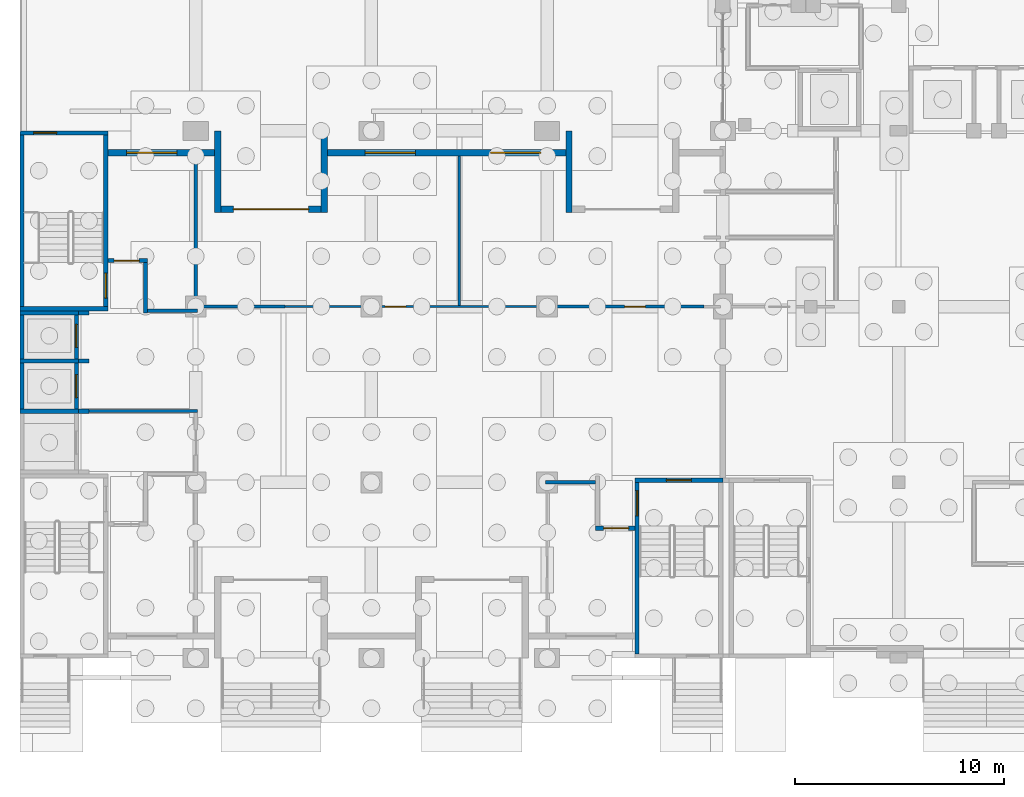
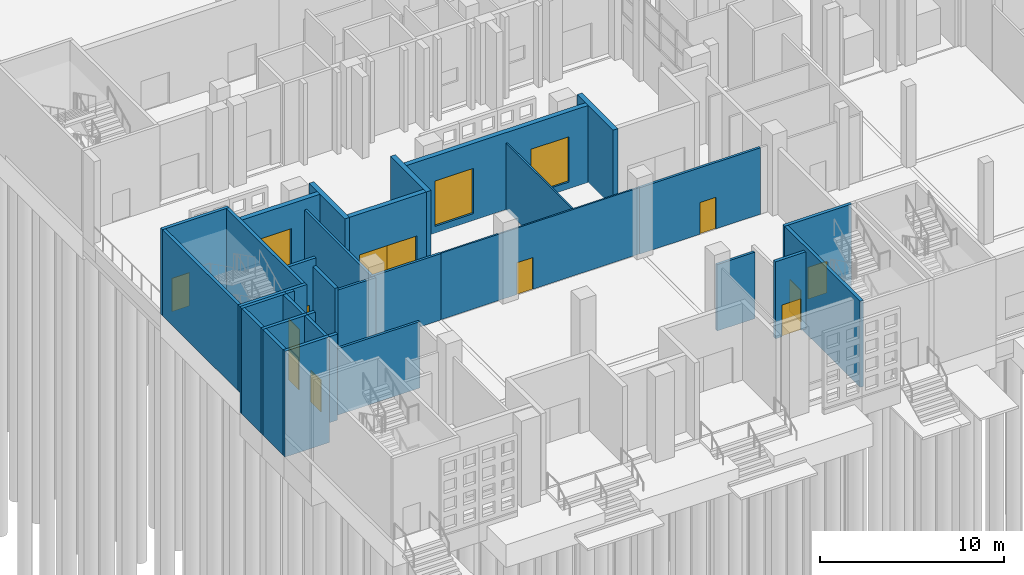
# One storey, part 43 of 129: 33 walls, 12 doors, 3 windows, 15 openings.
"""IFC4 building model written with IfcOpenShell, lengths in metres."""

from ifc_helpers import new_model, si_unit, direction, frame, frame_2d, origin, place, context, subcontext, project, spatial, rectangle, extrude, material, layer, layer_set, type_object, element, fill, save


model = new_model("IFC4")

# Units and contexts
model_context = context("Model", 3, precision=1e-05, world=origin(), true_north=direction((0.0, 1.0)))
body_context = subcontext(model_context, "Body", "Model", "MODEL_VIEW")
ifc_project = project(units=[si_unit("LENGTHUNIT", "METRE"), si_unit("AREAUNIT", "SQUARE_METRE"), si_unit("VOLUMEUNIT", "CUBIC_METRE"), si_unit("PLANEANGLEUNIT", "RADIAN"), si_unit("MASSUNIT", "GRAM", prefix="KILO")], contexts=[model_context])

# Site, building, storey
site_placement = place(None, origin())
site = spatial("IfcSite", under=ifc_project, at=site_placement, CompositionType="ELEMENT")
building_placement = place(site_placement, origin())
building = spatial("IfcBuilding", under=site, at=building_placement, Name="Kiln Court Media Centre", CompositionType="ELEMENT")
storey_placement = place(building_placement, origin())
storey = spatial("IfcBuildingStorey", under=building, at=storey_placement, Name="L00", CompositionType="ELEMENT", Elevation=0.0)

# Walls
ifc_material_1 = material(Name="Concrete block masonry M7.5", Category="masonry")
ifc_layer_1 = layer(ifc_material_1, 0.14990234375)
ifc_layer_set_1 = layer_set([ifc_layer_1], Name="Block lobby wall 150 EI 120")
wall_type_1 = type_object("IfcWallType", Name="Block lobby wall 150 EI 120", PredefinedType="SOLIDWALL", material=ifc_layer_set_1)
wall_1_placement = place(storey_placement, frame((3.300048828125, 11.800048828125, 0.0), z_axis=(0.0, 0.0, 1.0), x_axis=(1.0, 0.0, 0.0)))
element("IfcWall", 1, at=wall_1_placement, inside=storey, type_object=wall_type_1, Name="L00 block lobby wall", PredefinedType="SOLIDWALL", context=body_context, shape_type="SweptSolid", body=[
    extrude(rectangle(XDim=5.175048828125, YDim=0.14990234375, at=frame_2d((2.58740234375, 0.0))), origin(), (0.0, 0.0, 1.0), 4.39990234375),
])
ifc_material_2 = material(Name="Concrete block masonry M10", Category="masonry")
ifc_layer_2 = layer(ifc_material_2, 0.14990234375)
ifc_layer_set_2 = layer_set([ifc_layer_2], Name="Block riser wall 150 EI 120")
wall_type_2 = type_object("IfcWallType", Name="Block riser wall 150 EI 120", PredefinedType="SOLIDWALL", material=ifc_layer_set_2)
wall_2_placement = place(storey_placement, frame((6.10009765625, 16.60009765625, 0.0), z_axis=(0.0, 0.0, 1.0), x_axis=(1.0, 0.0, 0.0)))
element("IfcWall", 2, at=wall_2_placement, inside=storey, type_object=wall_type_2, Name="L00 block riser wall", PredefinedType="SOLIDWALL", context=body_context, shape_type="SweptSolid", body=[
    extrude(rectangle(XDim=2.375, YDim=0.14990234375, at=frame_2d((1.1875, 0.0))), origin(), (0.0, 0.0, 1.0), 4.39990234375),
])
wall_3_placement = place(storey_placement, frame((8.39990234375, 16.875, 0.0), z_axis=(0.0, 0.0, 1.0), x_axis=(0.0, 1.0, 0.0)))
element("IfcWall", 3, at=wall_3_placement, inside=storey, type_object=wall_type_2, Name="L00 block riser wall", PredefinedType="SOLIDWALL", context=body_context, shape_type="SweptSolid", body=[
    extrude(rectangle(XDim=7.125, YDim=0.14990234375, at=frame_2d((3.5625, 0.0))), origin(), (0.0, 0.0, 1.0), 4.39990234375),
])

# Wall, opening, door
ifc_material_3 = material(Name="Concrete block masonry M10", Category="masonry")
ifc_layer_3 = layer(ifc_material_3, 0.199951171875)
ifc_layer_set_3 = layer_set([ifc_layer_3], Name="Block vestibule wall 200 EI 240")
wall_type_3 = type_object("IfcWallType", Name="Block vestibule wall 200 EI 240", PredefinedType="SOLIDWALL", material=ifc_layer_set_3)
wall_4_placement = place(storey_placement, frame((27.5, 6.199951171875, 0.0), z_axis=(0.0, 0.0, 1.0), x_axis=(1.0, 0.0, 0.0)))
wall_4 = element("IfcWall", 4, at=wall_4_placement, inside=storey, type_object=wall_type_3, Name="L00 block vestibule wall", PredefinedType="SOLIDWALL", context=body_context, shape_type="SweptSolid", body=[
    extrude(rectangle(XDim=1.89990234375, YDim=0.199951171875, at=frame_2d((0.949951171875, 0.0))), origin(), (0.0, 0.0, 1.0), 5.10009765625),
])
opening_1_placement = place(wall_4_placement, frame((0.39990234375, 0.0, 0.0)))
opening_1 = element("IfcOpeningElement", 5, at=opening_1_placement, cuts=wall_4, Name="Opening D0045", PredefinedType="OPENING", context=body_context, shape_type="SweptSolid", body=[
    extrude(rectangle(XDim=1.199951171875, YDim=2.10009765625, at=frame_2d((0.60009765625, 1.050048828125))), frame((0.0, 0.10986328125, 0.0), z_axis=(0.0, -1.0, 0.0), x_axis=(1.0, 0.0, 0.0)), (0.0, 0.0, 1.0), 0.219970703125),
])
ifc_material_4 = material(Name="Steel S275", Category="steel")
door_type_1 = type_object("IfcDoorType", Name="Steel vestibule door 1200 x 2100 FD180", OperationType="SINGLE_SWING_LEFT", PredefinedType="DOOR", material=ifc_material_4)
door_1_placement = place(opening_1_placement, origin())
door_1 = element("IfcDoor", 6, at=door_1_placement, inside=storey, type_object=door_type_1, Name="Bookshop / Stair 3 Vestibule", OperationType="SINGLE_SWING_RIGHT", OverallHeight=2.10009765625, OverallWidth=1.199951171875, PredefinedType="DOOR", context=body_context, shape_type="SweptSolid", body=[
    extrude(rectangle(XDim=1.199951171875, YDim=2.10009765625, at=frame_2d((0.60009765625, 1.050048828125))), frame((0.0, 0.02490234375, 0.0), z_axis=(0.0, -1.0, 0.0), x_axis=(1.0, 0.0, 0.0)), (0.0, 0.0, 1.0), 0.050048828125),
])
fill(opening_1, door_1)

wall_5_placement = place(storey_placement, frame((4.2001953125, 19.0, 0.0), z_axis=(0.0, 0.0, 1.0), x_axis=(1.0, 0.0, 0.0)))
wall_5 = element("IfcWall", 7, at=wall_5_placement, inside=storey, type_object=wall_type_3, Name="L00 block vestibule wall", PredefinedType="SOLIDWALL", context=body_context, shape_type="SweptSolid", body=[
    extrude(rectangle(XDim=1.89990234375, YDim=0.199951171875, at=frame_2d((0.949951171875, 0.0))), origin(), (0.0, 0.0, 1.0), 5.10009765625),
])
opening_2_placement = place(wall_5_placement, frame((0.2998046875, 0.0, 0.0)))
opening_2 = element("IfcOpeningElement", 8, at=opening_2_placement, cuts=wall_5, Name="Opening D0048", PredefinedType="OPENING", context=body_context, shape_type="SweptSolid", body=[
    extrude(rectangle(XDim=1.199951171875, YDim=2.10009765625, at=frame_2d((0.60009765625, 1.050048828125))), frame((0.0, 0.10986328125, 0.0), z_axis=(0.0, -1.0, 0.0), x_axis=(1.0, 0.0, 0.0)), (0.0, 0.0, 1.0), 0.219970703125),
])
door_2_placement = place(opening_2_placement, origin())
door_2 = element("IfcDoor", 9, at=door_2_placement, inside=storey, type_object=door_type_1, Name="Cleaners' Store and Riser / Stair 2 Vestibule", OperationType="SINGLE_SWING_LEFT", OverallHeight=2.10009765625, OverallWidth=1.199951171875, PredefinedType="DOOR", context=body_context, shape_type="SweptSolid", body=[
    extrude(rectangle(XDim=1.199951171875, YDim=2.10009765625, at=frame_2d((0.60009765625, 1.050048828125))), frame((0.0, 0.02490234375, 0.0), z_axis=(0.0, -1.0, 0.0), x_axis=(1.0, 0.0, 0.0)), (0.0, 0.0, 1.0), 0.050048828125),
])
fill(opening_2, door_2)

# Wall
wall_6_placement = place(storey_placement, frame((6.0, 16.5, 0.0), z_axis=(0.0, 0.0, 1.0), x_axis=(0.0, 1.0, 0.0)))
element("IfcWall", 10, at=wall_6_placement, inside=storey, type_object=wall_type_3, Name="L00 block vestibule wall", PredefinedType="SOLIDWALL", context=body_context, shape_type="SweptSolid", body=[
    extrude(rectangle(XDim=2.39990234375, YDim=0.199951171875, at=frame_2d((1.199951171875, 0.0))), origin(), (0.0, 0.0, 1.0), 4.60009765625),
])

# Wall, opening, window
ifc_material_5 = material(Name="Brick masonry facing leaf with RC backing", Category="masonry")
ifc_layer_4 = layer(ifc_material_5, 0.300048828125)
ifc_layer_set_4 = layer_set([ifc_layer_4], Name="Brick masonry cavity wall 300")
wall_type_4 = type_object("IfcWallType", Name="Brick masonry cavity wall 300", PredefinedType="SOLIDWALL", material=ifc_layer_set_4)
wall_7_placement = place(storey_placement, frame((4.199951171875, 24.14990234375, 0.0), z_axis=(0.0, 0.0, 1.0), x_axis=(1.0, 0.0, 0.0)))
wall_7 = element("IfcWall", 11, at=wall_7_placement, inside=storey, type_object=wall_type_4, Name="V6A-N ground facade", PredefinedType="SOLIDWALL", context=body_context, shape_type="SweptSolid", body=[
    extrude(rectangle(XDim=5.10009765625, YDim=0.300048828125, at=frame_2d((2.550048828125, 0.0))), origin(), (0.0, 0.0, 1.0), 5.10009765625),
])
opening_3_placement = place(wall_7_placement, frame((0.89990234375, 0.0, 0.449951171875)))
opening_3 = element("IfcOpeningElement", 12, at=opening_3_placement, cuts=wall_7, Name="Opening WN0007", PredefinedType="OPENING", context=body_context, shape_type="SweptSolid", body=[
    extrude(rectangle(XDim=2.39990234375, YDim=3.0, at=frame_2d((1.199951171875, 1.5))), frame((0.0, 0.159912109375, 0.0), z_axis=(0.0, -1.0, 0.0), x_axis=(1.0, 0.0, 0.0)), (0.0, 0.0, 1.0), 0.320068359375),
])
ifc_material_6 = material(Name="Aluminium 6063-T6", Category="aluminium")
window_type = type_object("IfcWindowType", Name="Aluminium shopfront window 2400x3000", PartitioningType="TRIPLE_PANEL_VERTICAL", PredefinedType="WINDOW", material=ifc_material_6)
window_1_placement = place(opening_3_placement, origin())
window_1 = element("IfcWindow", 13, at=window_1_placement, inside=storey, type_object=window_type, Name="WF window WN0007", OverallHeight=3.0, OverallWidth=2.39990234375, PartitioningType="SINGLE_PANEL", PredefinedType="WINDOW", context=body_context, shape_type="SweptSolid", body=[
    extrude(rectangle(XDim=2.39990234375, YDim=3.0, at=frame_2d((1.199951171875, 1.5))), frame((0.0, 0.030029296875, 0.0), z_axis=(0.0, -1.0, 0.0), x_axis=(1.0, 0.0, 0.0)), (0.0, 0.0, 1.0), 0.06005859375),
])
fill(opening_3, window_1)

# Wall, openings, windows
wall_8_placement = place(storey_placement, frame((14.699951171875, 24.14990234375, 0.0), z_axis=(0.0, 0.0, 1.0), x_axis=(1.0, 0.0, 0.0)))
wall_8 = element("IfcWall", 14, at=wall_8_placement, inside=storey, type_object=wall_type_4, Name="V6A-N ground facade", PredefinedType="SOLIDWALL", context=body_context, shape_type="SweptSolid", body=[
    extrude(rectangle(XDim=11.400146484375, YDim=0.300048828125, at=frame_2d((5.7001953125, 0.0))), origin(), (0.0, 0.0, 1.0), 5.10009765625),
])
opening_4_placement = place(wall_8_placement, frame((1.800048828125, 0.0, 0.449951171875)))
opening_4 = element("IfcOpeningElement", 15, at=opening_4_placement, cuts=wall_8, Name="Opening WN0008", PredefinedType="OPENING", context=body_context, shape_type="SweptSolid", body=[
    extrude(rectangle(XDim=2.39990234375, YDim=3.0, at=frame_2d((1.199951171875, 1.5))), frame((0.0, 0.159912109375, 0.0), z_axis=(0.0, -1.0, 0.0), x_axis=(1.0, 0.0, 0.0)), (0.0, 0.0, 1.0), 0.320068359375),
])
opening_5_placement = place(wall_8_placement, frame((7.800048828125, 0.0, 0.449951171875)))
opening_5 = element("IfcOpeningElement", 16, at=opening_5_placement, cuts=wall_8, Name="Opening WN0009", PredefinedType="OPENING", context=body_context, shape_type="SweptSolid", body=[
    extrude(rectangle(XDim=2.39990234375, YDim=3.0, at=frame_2d((1.199951171875, 1.5))), frame((0.0, 0.159912109375, 0.0), z_axis=(0.0, -1.0, 0.0), x_axis=(1.0, 0.0, 0.0)), (0.0, 0.0, 1.0), 0.320068359375),
])
window_2_placement = place(opening_4_placement, origin())
window_2 = element("IfcWindow", 17, at=window_2_placement, inside=storey, type_object=window_type, Name="WF window WN0008", OverallHeight=3.0, OverallWidth=2.39990234375, PartitioningType="SINGLE_PANEL", PredefinedType="WINDOW", context=body_context, shape_type="SweptSolid", body=[
    extrude(rectangle(XDim=2.39990234375, YDim=3.0, at=frame_2d((1.199951171875, 1.5))), frame((0.0, 0.030029296875, 0.0), z_axis=(0.0, -1.0, 0.0), x_axis=(1.0, 0.0, 0.0)), (0.0, 0.0, 1.0), 0.06005859375),
])
fill(opening_4, window_2)
window_3_placement = place(opening_5_placement, origin())
window_3 = element("IfcWindow", 18, at=window_3_placement, inside=storey, type_object=window_type, Name="WF window WN0009", OverallHeight=3.0, OverallWidth=2.39990234375, PartitioningType="SINGLE_PANEL", PredefinedType="WINDOW", context=body_context, shape_type="SweptSolid", body=[
    extrude(rectangle(XDim=2.39990234375, YDim=3.0, at=frame_2d((1.199951171875, 1.5))), frame((0.0, 0.030029296875, 0.0), z_axis=(0.0, -1.0, 0.0), x_axis=(1.0, 0.0, 0.0)), (0.0, 0.0, 1.0), 0.06005859375),
])
fill(opening_5, window_3)

# Walls
ifc_material_7 = material(Name="Brick masonry facing leaf with RC backing", Category="masonry")
ifc_layer_5 = layer(ifc_material_7, 0.300048828125)
ifc_layer_set_5 = layer_set([ifc_layer_5], Name="Brick masonry wing wall 300")
wall_type_5 = type_object("IfcWallType", Name="Brick masonry wing wall 300", PredefinedType="SOLIDWALL", material=ifc_layer_set_5)
for number, where, z_axis, x_axis, name in (
    (19, (9.449951171875, 21.300048828125, 0.0), (0.0, 0.0, 1.0), (0.0, 1.0, 0.0), "V6A-N porch side wall"),
    (20, (14.550048828125, 21.300048828125, 0.0), (0.0, 0.0, 1.0), (0.0, 1.0, 0.0), "V6A-N porch side wall"),
):
    element("IfcWall", number, at=place(storey_placement, frame(where, z_axis=z_axis, x_axis=x_axis)), inside=storey, type_object=wall_type_5, Name=name, PredefinedType="SOLIDWALL", context=body_context, shape_type="SweptSolid", body=[
        extrude(rectangle(XDim=3.89990234375, YDim=0.300048828125, at=frame_2d((1.949951171875, 0.0))), origin(), (0.0, 0.0, 1.0), 5.10009765625),
    ])

# Wall, openings, doors
wall_9_placement = place(storey_placement, frame((9.60009765625, 21.449951171875, 0.0), z_axis=(0.0, 0.0, 1.0), x_axis=(1.0, 0.0, 0.0)))
wall_9 = element("IfcWall", 21, at=wall_9_placement, inside=storey, type_object=wall_type_5, Name="V6A-N porch back wall", PredefinedType="SOLIDWALL", context=body_context, shape_type="SweptSolid", body=[
    extrude(rectangle(XDim=4.7998046875, YDim=0.300048828125, at=frame_2d((2.39990234375, 0.0))), origin(), (0.0, 0.0, 1.0), 5.10009765625),
])
opening_6_placement = place(wall_9_placement, frame((0.60009765625, 0.0, 0.0)))
opening_6 = element("IfcOpeningElement", 22, at=opening_6_placement, cuts=wall_9, Name="Opening D0608", PredefinedType="OPENING", context=body_context, shape_type="SweptSolid", body=[
    extrude(rectangle(XDim=1.800048828125, YDim=2.39990234375, at=frame_2d((0.89990234375, 1.199951171875))), frame((0.0, 0.159912109375, 0.0), z_axis=(0.0, -1.0, 0.0), x_axis=(1.0, 0.0, 0.0)), (0.0, 0.0, 1.0), 0.320068359375),
])
opening_7_placement = place(wall_9_placement, frame((2.39990234375, 0.0, 0.0)))
opening_7 = element("IfcOpeningElement", 23, at=opening_7_placement, cuts=wall_9, Name="Opening D0609", PredefinedType="OPENING", context=body_context, shape_type="SweptSolid", body=[
    extrude(rectangle(XDim=1.800048828125, YDim=2.39990234375, at=frame_2d((0.89990234375, 1.199951171875))), frame((0.0, 0.159912109375, 0.0), z_axis=(0.0, -1.0, 0.0), x_axis=(1.0, 0.0, 0.0)), (0.0, 0.0, 1.0), 0.320068359375),
])
ifc_material_8 = material(Name="Aluminium 6063-T6", Category="aluminium")
door_type_2 = type_object("IfcDoorType", Name="Aluminium glazed entrance door 1800x2400", OperationType="DOUBLE_DOOR_DOUBLE_SWING", PredefinedType="DOOR", material=ifc_material_8)
door_3_placement = place(opening_6_placement, origin())
door_3 = element("IfcDoor", 24, at=door_3_placement, inside=storey, type_object=door_type_2, Name="DA door D0608", OperationType="SINGLE_SWING_LEFT", OverallHeight=2.39990234375, OverallWidth=1.800048828125, PredefinedType="DOOR", context=body_context, shape_type="SweptSolid", body=[
    extrude(rectangle(XDim=1.800048828125, YDim=2.39990234375, at=frame_2d((0.89990234375, 1.199951171875))), frame((0.0, 0.02490234375, 0.0), z_axis=(0.0, -1.0, 0.0), x_axis=(1.0, 0.0, 0.0)), (0.0, 0.0, 1.0), 0.050048828125),
])
fill(opening_6, door_3)
door_4_placement = place(opening_7_placement, origin())
door_4 = element("IfcDoor", 25, at=door_4_placement, inside=storey, type_object=door_type_2, Name="DA door D0609", OperationType="SINGLE_SWING_LEFT", OverallHeight=2.39990234375, OverallWidth=1.800048828125, PredefinedType="DOOR", context=body_context, shape_type="SweptSolid", body=[
    extrude(rectangle(XDim=1.800048828125, YDim=2.39990234375, at=frame_2d((0.89990234375, 1.199951171875))), frame((0.0, 0.02490234375, 0.0), z_axis=(0.0, -1.0, 0.0), x_axis=(1.0, 0.0, 0.0)), (0.0, 0.0, 1.0), 0.050048828125),
])
fill(opening_7, door_4)

# Walls
wall_10_placement = place(storey_placement, frame((26.25, 21.300048828125, 0.0), z_axis=(0.0, 0.0, 1.0), x_axis=(0.0, 1.0, 0.0)))
element("IfcWall", 26, at=wall_10_placement, inside=storey, type_object=wall_type_5, Name="V6A-N porch side wall", PredefinedType="SOLIDWALL", context=body_context, shape_type="SweptSolid", body=[
    extrude(rectangle(XDim=3.89990234375, YDim=0.300048828125, at=frame_2d((1.949951171875, 0.0))), origin(), (0.0, 0.0, 1.0), 5.10009765625),
])
ifc_material_9 = material(Name="Concrete C40/50", Category="concrete")
ifc_layer_6 = layer(ifc_material_9, 0.199951171875)
ifc_layer_set_6 = layer_set([ifc_layer_6], Name="Concrete C40/50 shear wall 200")
wall_type_6 = type_object("IfcWallType", Name="Concrete C40/50 shear wall 200", PredefinedType="SHEAR", material=ifc_layer_set_6)
wall_11_placement = place(storey_placement, frame((4.199951171875, 16.699951171875, -0.300048828125), z_axis=(0.0, 0.0, 1.0), x_axis=(-1.0, 0.0, 0.0)))
element("IfcWall", 27, at=wall_11_placement, inside=storey, type_object=wall_type_6, Name="L00-W-1004", PredefinedType="SHEAR", context=body_context, shape_type="SweptSolid", body=[
    extrude(rectangle(XDim=4.199462890625, YDim=0.199951171875, at=frame_2d((2.099609375, 0.0))), origin(), (0.0, 0.0, 1.0), 5.699951171875),
])

# Wall, opening, door
wall_12_placement = place(storey_placement, frame((0.00048828125, 25.10009765625, -0.300048828125), z_axis=(0.0, 0.0, 1.0), x_axis=(1.0, 0.0, 0.0)))
wall_12 = element("IfcWall", 28, at=wall_12_placement, inside=storey, type_object=wall_type_6, Name="L00-W-1005", PredefinedType="SHEAR", context=body_context, shape_type="SweptSolid", body=[
    extrude(rectangle(XDim=4.199462890625, YDim=0.199951171875, at=frame_2d((2.099609375, 0.0))), origin(), (0.0, 0.0, 1.0), 5.699951171875),
])
opening_8_placement = place(wall_12_placement, frame((0.6494140625, 0.0, 0.0)))
opening_8 = element("IfcOpeningElement", 29, at=opening_8_placement, cuts=wall_12, Name="Opening D0612", PredefinedType="OPENING", context=body_context, shape_type="SweptSolid", body=[
    extrude(rectangle(XDim=1.10009765625, YDim=2.199951171875, at=frame_2d((0.550048828125, 1.10009765625))), frame((0.0, 0.10986328125, 0.0), z_axis=(0.0, -1.0, 0.0), x_axis=(1.0, 0.0, 0.0)), (0.0, 0.0, 1.0), 0.219970703125),
])
ifc_material_10 = material(Name="Steel ASTM A572 Gr 50", Category="steel")
door_type_3 = type_object("IfcDoorType", Name="Steel fire exit door 1100x2200", OperationType="SINGLE_SWING_LEFT", PredefinedType="DOOR", material=ifc_material_10)
door_5_placement = place(opening_8_placement, origin())
door_5 = element("IfcDoor", 30, at=door_5_placement, inside=storey, type_object=door_type_3, Name="DB door D0612", OperationType="SINGLE_SWING_LEFT", OverallHeight=2.199951171875, OverallWidth=1.10009765625, PredefinedType="DOOR", context=body_context, shape_type="SweptSolid", body=[
    extrude(rectangle(XDim=1.10009765625, YDim=2.199951171875, at=frame_2d((0.550048828125, 1.10009765625))), frame((0.0, 0.02490234375, 0.0), z_axis=(0.0, -1.0, 0.0), x_axis=(1.0, 0.0, 0.0)), (0.0, 0.0, 1.0), 0.050048828125),
])
fill(opening_8, door_5)

# Wall
wall_13_placement = place(storey_placement, frame((0.100341796875, 16.800048828125, -0.300048828125), z_axis=(0.0, 0.0, 1.0), x_axis=(0.0, 1.0, 0.0)))
element("IfcWall", 31, at=wall_13_placement, inside=storey, type_object=wall_type_6, Name="L00-W-1006", PredefinedType="SHEAR", context=body_context, shape_type="SweptSolid", body=[
    extrude(rectangle(XDim=8.199951171875, YDim=0.199951171875, at=frame_2d((4.10009765625, 0.0))), origin(), (0.0, 0.0, 1.0), 5.699951171875),
])

# Wall, opening, door
wall_14_placement = place(storey_placement, frame((4.10009765625, 25.0, -0.300048828125), z_axis=(0.0, 0.0, 1.0), x_axis=(0.0, -1.0, 0.0)))
wall_14 = element("IfcWall", 32, at=wall_14_placement, inside=storey, type_object=wall_type_6, Name="L00-W-1007", PredefinedType="SHEAR", context=body_context, shape_type="SweptSolid", body=[
    extrude(rectangle(XDim=8.199951171875, YDim=0.199951171875, at=frame_2d((4.10009765625, 0.0))), origin(), (0.0, 0.0, 1.0), 5.699951171875),
])
opening_9_placement = place(wall_14_placement, frame((6.60009765625, 0.0, 0.300048828125)))
opening_9 = element("IfcOpeningElement", 33, at=opening_9_placement, cuts=wall_14, Name="Opening D0018", PredefinedType="OPENING", context=body_context, shape_type="SweptSolid", body=[
    extrude(rectangle(XDim=1.199951171875, YDim=2.10009765625, at=frame_2d((0.60009765625, 1.050048828125))), frame((0.0, 0.10986328125, 0.0), z_axis=(0.0, -1.0, 0.0), x_axis=(1.0, 0.0, 0.0)), (0.0, 0.0, 1.0), 0.219970703125),
])
ifc_material_11 = material(Name="Steel S275", Category="steel")
door_type_4 = type_object("IfcDoorType", Name="Steel stair door 1200 x 2100 FD180", OperationType="SINGLE_SWING_LEFT", PredefinedType="DOOR", material=ifc_material_11)
door_6_placement = place(opening_9_placement, origin())
door_6 = element("IfcDoor", 34, at=door_6_placement, inside=storey, type_object=door_type_4, Name="Stair 2 / Stair 2 Vestibule", OperationType="SINGLE_SWING_RIGHT", OverallHeight=2.10009765625, OverallWidth=1.199951171875, PredefinedType="DOOR", context=body_context, shape_type="SweptSolid", body=[
    extrude(rectangle(XDim=1.199951171875, YDim=2.10009765625, at=frame_2d((0.60009765625, 1.050048828125))), frame((0.0, 0.02490234375, 0.0), z_axis=(0.0, -1.0, 0.0), x_axis=(1.0, 0.0, 0.0)), (0.0, 0.0, 1.0), 0.050048828125),
])
fill(opening_9, door_6)

wall_15_placement = place(storey_placement, frame((29.39990234375, 8.5, -0.300048828125), z_axis=(0.0, 0.0, 1.0), x_axis=(1.0, 0.0, 0.0)))
wall_15 = element("IfcWall", 35, at=wall_15_placement, inside=storey, type_object=wall_type_6, Name="L00-W-1009", PredefinedType="SHEAR", context=body_context, shape_type="SweptSolid", body=[
    extrude(rectangle(XDim=4.2001953125, YDim=0.199951171875, at=frame_2d((2.10009765625, 0.0))), origin(), (0.0, 0.0, 1.0), 5.699951171875),
])
opening_10_placement = place(wall_15_placement, frame((1.5, 0.0, 0.300048828125)))
opening_10 = element("IfcOpeningElement", 36, at=opening_10_placement, cuts=wall_15, Name="Opening D0017", PredefinedType="OPENING", context=body_context, shape_type="SweptSolid", body=[
    extrude(rectangle(XDim=1.199951171875, YDim=2.10009765625, at=frame_2d((0.60009765625, 1.050048828125))), frame((0.0, 0.10986328125, 0.0), z_axis=(0.0, -1.0, 0.0), x_axis=(1.0, 0.0, 0.0)), (0.0, 0.0, 1.0), 0.219970703125),
])
door_7_placement = place(opening_10_placement, origin())
door_7 = element("IfcDoor", 37, at=door_7_placement, inside=storey, type_object=door_type_4, Name="Stair 3 / East Lobby", OperationType="SINGLE_SWING_RIGHT", OverallHeight=2.10009765625, OverallWidth=1.199951171875, PredefinedType="DOOR", context=body_context, shape_type="SweptSolid", body=[
    extrude(rectangle(XDim=1.199951171875, YDim=2.10009765625, at=frame_2d((0.60009765625, 1.050048828125))), frame((0.0, 0.02490234375, 0.0), z_axis=(0.0, -1.0, 0.0), x_axis=(1.0, 0.0, 0.0)), (0.0, 0.0, 1.0), 0.050048828125),
])
fill(opening_10, door_7)

wall_16_placement = place(storey_placement, frame((29.5, 0.199951171875, -0.300048828125), z_axis=(0.0, 0.0, 1.0), x_axis=(0.0, 1.0, 0.0)))
wall_16 = element("IfcWall", 38, at=wall_16_placement, inside=storey, type_object=wall_type_6, Name="L00-W-1010", PredefinedType="SHEAR", context=body_context, shape_type="SweptSolid", body=[
    extrude(rectangle(XDim=8.199951171875, YDim=0.199951171875, at=frame_2d((4.10009765625, 0.0))), origin(), (0.0, 0.0, 1.0), 5.699951171875),
])
opening_11_placement = place(wall_16_placement, frame((6.60009765625, 0.0, 0.300048828125)))
opening_11 = element("IfcOpeningElement", 39, at=opening_11_placement, cuts=wall_16, Name="Opening D0016", PredefinedType="OPENING", context=body_context, shape_type="SweptSolid", body=[
    extrude(rectangle(XDim=1.199951171875, YDim=2.10009765625, at=frame_2d((0.60009765625, 1.050048828125))), frame((0.0, 0.10986328125, 0.0), z_axis=(0.0, -1.0, 0.0), x_axis=(1.0, 0.0, 0.0)), (0.0, 0.0, 1.0), 0.219970703125),
])
door_8_placement = place(opening_11_placement, origin())
door_8 = element("IfcDoor", 40, at=door_8_placement, inside=storey, type_object=door_type_4, Name="Stair 3 / Stair 3 Vestibule", OperationType="SINGLE_SWING_RIGHT", OverallHeight=2.10009765625, OverallWidth=1.199951171875, PredefinedType="DOOR", context=body_context, shape_type="SweptSolid", body=[
    extrude(rectangle(XDim=1.199951171875, YDim=2.10009765625, at=frame_2d((0.60009765625, 1.050048828125))), frame((0.0, 0.02490234375, 0.0), z_axis=(0.0, -1.0, 0.0), x_axis=(1.0, 0.0, 0.0)), (0.0, 0.0, 1.0), 0.050048828125),
])
fill(opening_11, door_8)

# Walls
for number, where, z_axis, x_axis, name in (
    (41, (0.00048828125, 11.800048828125, -1.60009765625), (0.0, 0.0, 1.0), (1.0, 0.0, 0.0), "L00-W-1069"),
    (42, (0.00048828125, 14.199951171875, -1.60009765625), (0.0, 0.0, 1.0), (1.0, 0.0, 0.0), "L00-W-1072"),
):
    element("IfcWall", number, at=place(storey_placement, frame(where, z_axis=z_axis, x_axis=x_axis)), inside=storey, type_object=wall_type_6, Name=name, PredefinedType="SHEAR", context=body_context, shape_type="SweptSolid", body=[
        extrude(rectangle(XDim=2.799560546875, YDim=0.199951171875, at=frame_2d((1.39990234375, 0.0))), origin(), (0.0, 0.0, 1.0), 7.0),
    ])
wall_17_placement = place(storey_placement, frame((0.100341796875, 11.89990234375, -1.60009765625), z_axis=(0.0, 0.0, 1.0), x_axis=(0.0, 1.0, 0.0)))
element("IfcWall", 43, at=wall_17_placement, inside=storey, type_object=wall_type_6, Name="L00-W-1073", PredefinedType="SHEAR", context=body_context, shape_type="SweptSolid", body=[
    extrude(rectangle(XDim=2.2001953125, YDim=0.199951171875, at=frame_2d((1.10009765625, 0.0))), origin(), (0.0, 0.0, 1.0), 7.0),
])

# Wall, opening, door
wall_18_placement = place(storey_placement, frame((2.699951171875, 14.10009765625, -1.60009765625), z_axis=(0.0, 0.0, 1.0), x_axis=(0.0, -1.0, 0.0)))
wall_18 = element("IfcWall", 44, at=wall_18_placement, inside=storey, type_object=wall_type_6, Name="L00-W-1074", PredefinedType="SHEAR", context=body_context, shape_type="SweptSolid", body=[
    extrude(rectangle(XDim=2.2001953125, YDim=0.199951171875, at=frame_2d((1.10009765625, 0.0))), origin(), (0.0, 0.0, 1.0), 7.0),
])
opening_12_placement = place(wall_18_placement, frame((0.550048828125, 0.0, 1.60009765625)))
opening_12 = element("IfcOpeningElement", 45, at=opening_12_placement, cuts=wall_18, Name="Opening LD002", PredefinedType="OPENING", context=body_context, shape_type="SweptSolid", body=[
    extrude(rectangle(XDim=1.10009765625, YDim=2.10009765625, at=frame_2d((0.550048828125, 1.050048828125))), frame((0.0, 0.10986328125, 0.0), z_axis=(0.0, -1.0, 0.0), x_axis=(1.0, 0.0, 0.0)), (0.0, 0.0, 1.0), 0.219970703125),
])
ifc_material_12 = material(Name="Stainless steel", Category="steel")
door_type_5 = type_object("IfcDoorType", Name="Lift landing door 1100 x 2100 FD120", OperationType="SLIDING_TO_LEFT", PredefinedType="DOOR", material=ifc_material_12)
door_9_placement = place(opening_12_placement, origin())
door_9 = element("IfcDoor", 46, at=door_9_placement, inside=storey, type_object=door_type_5, Name="LF-02 landing door L00", OperationType="SLIDING_TO_LEFT", OverallHeight=2.10009765625, OverallWidth=1.10009765625, PredefinedType="DOOR", context=body_context, shape_type="SweptSolid", body=[
    extrude(rectangle(XDim=1.10009765625, YDim=2.10009765625, at=frame_2d((0.550048828125, 1.050048828125))), frame((0.0, 0.02490234375, 0.0), z_axis=(0.0, -1.0, 0.0), x_axis=(1.0, 0.0, 0.0)), (0.0, 0.0, 1.0), 0.050048828125),
])
fill(opening_12, door_9)

# Walls
wall_19_placement = place(storey_placement, frame((0.00048828125, 16.5, -1.60009765625), z_axis=(0.0, 0.0, 1.0), x_axis=(1.0, 0.0, 0.0)))
element("IfcWall", 47, at=wall_19_placement, inside=storey, type_object=wall_type_6, Name="L00-W-1075", PredefinedType="SHEAR", context=body_context, shape_type="SweptSolid", body=[
    extrude(rectangle(XDim=2.799560546875, YDim=0.199951171875, at=frame_2d((1.39990234375, 0.0))), origin(), (0.0, 0.0, 1.0), 7.0),
])
wall_20_placement = place(storey_placement, frame((0.100341796875, 14.300048828125, -1.60009765625), z_axis=(0.0, 0.0, 1.0), x_axis=(0.0, 1.0, 0.0)))
element("IfcWall", 48, at=wall_20_placement, inside=storey, type_object=wall_type_6, Name="L00-W-1076", PredefinedType="SHEAR", context=body_context, shape_type="SweptSolid", body=[
    extrude(rectangle(XDim=2.099853515625, YDim=0.199951171875, at=frame_2d((1.0498046875, 0.0))), origin(), (0.0, 0.0, 1.0), 7.0),
])

# Wall, opening, door
wall_21_placement = place(storey_placement, frame((2.699951171875, 16.39990234375, -1.60009765625), z_axis=(0.0, 0.0, 1.0), x_axis=(0.0, -1.0, 0.0)))
wall_21 = element("IfcWall", 49, at=wall_21_placement, inside=storey, type_object=wall_type_6, Name="L00-W-1077", PredefinedType="SHEAR", context=body_context, shape_type="SweptSolid", body=[
    extrude(rectangle(XDim=2.099853515625, YDim=0.199951171875, at=frame_2d((1.0498046875, 0.0))), origin(), (0.0, 0.0, 1.0), 7.0),
])
opening_13_placement = place(wall_21_placement, frame((0.449951171875, 0.0, 1.60009765625)))
opening_13 = element("IfcOpeningElement", 50, at=opening_13_placement, cuts=wall_21, Name="Opening LD003", PredefinedType="OPENING", context=body_context, shape_type="SweptSolid", body=[
    extrude(rectangle(XDim=1.10009765625, YDim=2.10009765625, at=frame_2d((0.550048828125, 1.050048828125))), frame((0.0, 0.10986328125, 0.0), z_axis=(0.0, -1.0, 0.0), x_axis=(1.0, 0.0, 0.0)), (0.0, 0.0, 1.0), 0.219970703125),
])
door_10_placement = place(opening_13_placement, origin())
door_10 = element("IfcDoor", 51, at=door_10_placement, inside=storey, type_object=door_type_5, Name="LF-03 landing door L00", OperationType="SLIDING_TO_LEFT", OverallHeight=2.10009765625, OverallWidth=1.10009765625, PredefinedType="DOOR", context=body_context, shape_type="SweptSolid", body=[
    extrude(rectangle(XDim=1.10009765625, YDim=2.10009765625, at=frame_2d((0.550048828125, 1.050048828125))), frame((0.0, 0.02490234375, 0.0), z_axis=(0.0, -1.0, 0.0), x_axis=(1.0, 0.0, 0.0)), (0.0, 0.0, 1.0), 0.050048828125),
])
fill(opening_13, door_10)

# Walls
for number, where, z_axis, x_axis, name in (
    (52, (2.800048828125, 11.800048828125, -0.300048828125), (0.0, 0.0, 1.0), (1.0, 0.0, 0.0), "L00-W-1157"),
    (53, (2.800048828125, 14.199951171875, -0.300048828125), (0.0, 0.0, 1.0), (1.0, 0.0, 0.0), "L00-W-1158"),
    (54, (2.800048828125, 16.5, -0.300048828125), (0.0, 0.0, 1.0), (1.0, 0.0, 0.0), "L00-W-1159"),
):
    element("IfcWall", number, at=place(storey_placement, frame(where, z_axis=z_axis, x_axis=x_axis)), inside=storey, type_object=wall_type_6, Name=name, PredefinedType="SHEAR", context=body_context, shape_type="SweptSolid", body=[
        extrude(rectangle(XDim=0.5, YDim=0.199951171875, at=frame_2d((0.25, 0.0))), origin(), (0.0, 0.0, 1.0), 5.699951171875),
    ])
ifc_material_13 = material(Name="Gypsum plasterboard", Category="gypsum")
ifc_layer_7 = layer(ifc_material_13, 0.14990234375)
ifc_layer_set_7 = layer_set([ifc_layer_7], Name="Gypsum corridor partition 150 EI 60")
wall_type_7 = type_object("IfcWallType", Name="Gypsum corridor partition 150 EI 60", PredefinedType="PARTITIONING", material=ifc_layer_set_7)
wall_22_placement = place(storey_placement, frame((25.125, 8.39990234375, 0.0), z_axis=(0.0, 0.0, 1.0), x_axis=(1.0, 0.0, 0.0)))
element("IfcWall", 55, at=wall_22_placement, inside=storey, type_object=wall_type_7, Name="L00 gypsum corridor partition", PredefinedType="PARTITIONING", context=body_context, shape_type="SweptSolid", body=[
    extrude(rectangle(XDim=2.375, YDim=0.14990234375, at=frame_2d((1.1875, 0.0))), origin(), (0.0, 0.0, 1.0), 4.39990234375),
])
wall_23_placement = place(storey_placement, frame((8.324951171875, 16.800048828125, 0.0), z_axis=(0.0, 0.0, 1.0), x_axis=(1.0, 0.0, 0.0)))
element("IfcWall", 56, at=wall_23_placement, inside=storey, type_object=wall_type_7, Name="L00 gypsum corridor partition", PredefinedType="PARTITIONING", context=body_context, shape_type="SweptSolid", body=[
    extrude(rectangle(XDim=4.35009765625, YDim=0.14990234375, at=frame_2d((2.175048828125, 0.0))), origin(), (0.0, 0.0, 1.0), 4.39990234375),
])

# Wall, opening, door
wall_24_placement = place(storey_placement, frame((25.125, 16.800048828125, 0.0), z_axis=(0.0, 0.0, 1.0), x_axis=(1.0, 0.0, 0.0)))
wall_24 = element("IfcWall", 57, at=wall_24_placement, inside=storey, type_object=wall_type_7, Name="L00 gypsum corridor partition", PredefinedType="PARTITIONING", context=body_context, shape_type="SweptSolid", body=[
    extrude(rectangle(XDim=7.574951171875, YDim=0.14990234375, at=frame_2d((3.78759765625, 0.0))), origin(), (0.0, 0.0, 1.0), 4.39990234375),
])
opening_14_placement = place(wall_24_placement, frame((3.77490234375, 0.0, 0.0)))
opening_14 = element("IfcOpeningElement", 58, at=opening_14_placement, cuts=wall_24, Name="Opening D0047", PredefinedType="OPENING", context=body_context, shape_type="SweptSolid", body=[
    extrude(rectangle(XDim=1.0, YDim=2.10009765625, at=frame_2d((0.5, 1.050048828125))), frame((0.0, 0.0849609375, 0.0), z_axis=(0.0, -1.0, 0.0), x_axis=(1.0, 0.0, 0.0)), (0.0, 0.0, 1.0), 0.169921875),
])
ifc_material_14 = material(Name="Steel S275", Category="steel")
door_type_6 = type_object("IfcDoorType", Name="Steel corridor door 1000 x 2100 FD30S", OperationType="SINGLE_SWING_LEFT", PredefinedType="DOOR", material=ifc_material_14)
door_11_placement = place(opening_14_placement, origin())
door_11 = element("IfcDoor", 59, at=door_11_placement, inside=storey, type_object=door_type_6, Name="East Lobby / Media Learning Studio", OperationType="SINGLE_SWING_LEFT", OverallHeight=2.10009765625, OverallWidth=1.0, PredefinedType="DOOR", context=body_context, shape_type="SweptSolid", body=[
    extrude(rectangle(XDim=1.0, YDim=2.10009765625, at=frame_2d((0.5, 1.050048828125))), frame((0.0, 0.02490234375, 0.0), z_axis=(0.0, -1.0, 0.0), x_axis=(1.0, 0.0, 0.0)), (0.0, 0.0, 1.0), 0.050048828125),
])
fill(opening_14, door_11)

ifc_material_15 = material(Name="Gypsum plasterboard", Category="gypsum")
ifc_layer_8 = layer(ifc_material_15, 0.10009765625)
ifc_layer_set_8 = layer_set([ifc_layer_8], Name="Gypsum stud partition 100")
wall_type_8 = type_object("IfcWallType", Name="Gypsum stud partition 100", PredefinedType="PARTITIONING", material=ifc_layer_set_8)
wall_25_placement = place(storey_placement, frame((12.675048828125, 16.800048828125, 0.0), z_axis=(0.0, 0.0, 1.0), x_axis=(1.0, 0.0, 0.0)))
wall_25 = element("IfcWall", 60, at=wall_25_placement, inside=storey, type_object=wall_type_8, Name="L00 gypsum stud partition", PredefinedType="PARTITIONING", context=body_context, shape_type="SweptSolid", body=[
    extrude(rectangle(XDim=12.449951171875, YDim=0.10009765625, at=frame_2d((6.22509765625, 0.0))), origin(), (0.0, 0.0, 1.0), 4.39990234375),
])
opening_15_placement = place(wall_25_placement, frame((4.77490234375, 0.0, 0.0)))
opening_15 = element("IfcOpeningElement", 61, at=opening_15_placement, cuts=wall_25, Name="Opening D0066", PredefinedType="OPENING", context=body_context, shape_type="SweptSolid", body=[
    extrude(rectangle(XDim=1.0, YDim=2.10009765625, at=frame_2d((0.5, 1.050048828125))), frame((0.0, 0.06005859375, 0.0), z_axis=(0.0, -1.0, 0.0), x_axis=(1.0, 0.0, 0.0)), (0.0, 0.0, 1.0), 0.1201171875),
])
ifc_material_16 = material(Name="Timber", Category="wood")
door_type_7 = type_object("IfcDoorType", Name="Timber door 1000 x 2100", OperationType="SINGLE_SWING_LEFT", PredefinedType="DOOR", material=ifc_material_16)
door_12_placement = place(opening_15_placement, origin())
door_12 = element("IfcDoor", 62, at=door_12_placement, inside=storey, type_object=door_type_7, Name="Exhibition Hall / Community Media Room", OperationType="SINGLE_SWING_RIGHT", OverallHeight=2.10009765625, OverallWidth=1.0, PredefinedType="DOOR", context=body_context, shape_type="SweptSolid", body=[
    extrude(rectangle(XDim=1.0, YDim=2.10009765625, at=frame_2d((0.5, 1.050048828125))), frame((0.0, 0.02490234375, 0.0), z_axis=(0.0, -1.0, 0.0), x_axis=(1.0, 0.0, 0.0)), (0.0, 0.0, 1.0), 0.050048828125),
])
fill(opening_15, door_12)

# Wall
wall_26_placement = place(storey_placement, frame((21.0, 16.85009765625, 0.0), z_axis=(0.0, 0.0, 1.0), x_axis=(0.0, 1.0, 0.0)))
element("IfcWall", 63, at=wall_26_placement, inside=storey, type_object=wall_type_8, Name="L00 gypsum stud partition", PredefinedType="PARTITIONING", context=body_context, shape_type="SweptSolid", body=[
    extrude(rectangle(XDim=7.14990234375, YDim=0.10009765625, at=frame_2d((3.574951171875, 0.0))), origin(), (0.0, 0.0, 1.0), 4.39990234375),
])

save(model, "model.ifc")
